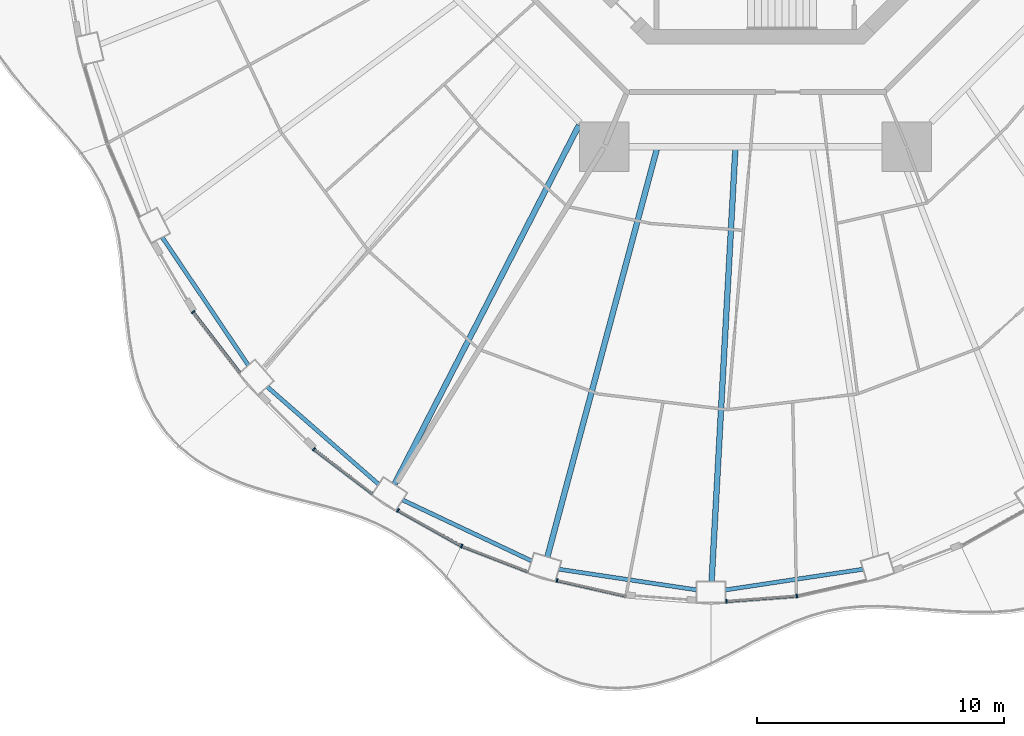
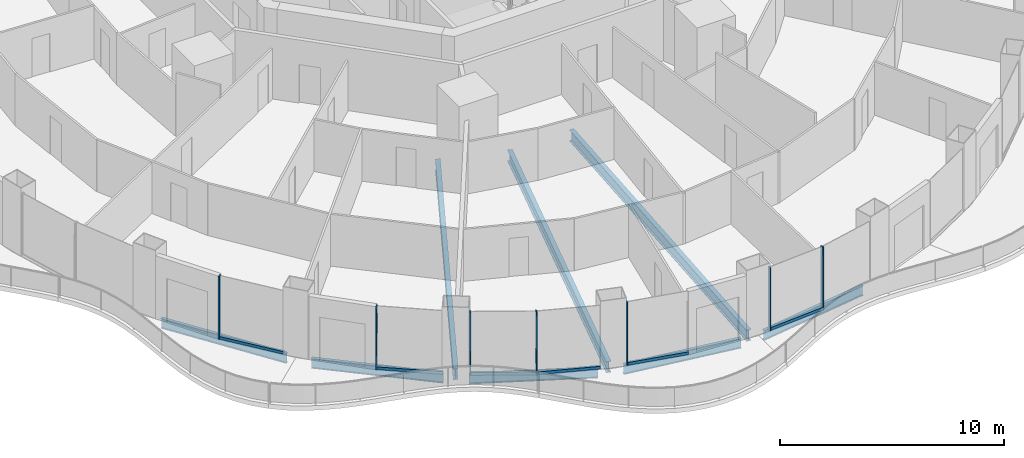
# One storey, part 2 of 20: 13 members, 8 beams, 7 elements without a shape of their own.
"""IFC4 building model written with IfcOpenShell, lengths in metres."""

from ifc_helpers import new_model, si_unit, direction, frame, origin, origin_2d, place, context, subcontext, project, spatial, rectangle, i_section, extrude, material, layer, layer_set, material_profile, profile_set, type_object, element, aggregate, save


model = new_model("IFC4")

# Units and contexts
model_context = context("Model", 3, precision=1e-05, world=origin(), true_north=direction((0.0, 1.0)))
body_context = subcontext(model_context, "Body", "Model", "MODEL_VIEW")
ifc_project = project(units=[si_unit("LENGTHUNIT", "METRE"), si_unit("AREAUNIT", "SQUARE_METRE"), si_unit("VOLUMEUNIT", "CUBIC_METRE"), si_unit("PLANEANGLEUNIT", "RADIAN"), si_unit("MASSUNIT", "GRAM", prefix="KILO")], contexts=[model_context])

# Site, building, storey
site_placement = place(None, origin())
site = spatial("IfcSite", under=ifc_project, at=site_placement, CompositionType="ELEMENT")
building_placement = place(site_placement, origin())
building = spatial("IfcBuilding", under=site, at=building_placement, Name="Nagisa Residences", CompositionType="ELEMENT")
storey_placement = place(building_placement, frame((0.0, 0.0, 141.800048828125)))
storey = spatial("IfcBuildingStorey", under=building, at=storey_placement, Name="L35", CompositionType="ELEMENT", Elevation=141.800048828125)

# Curtain wall, member
ifc_material_1 = material(Name="Concrete-coloured aluminium curtain wall system", Category="concrete")
ifc_layer = layer(ifc_material_1, 0.159912109375)
ifc_layer_set = layer_set([ifc_layer], Name="CW1 CURTAIN WALL")
curtain_wall_type = type_object("IfcCurtainWallType", Name="CW1 CURTAIN WALL", PredefinedType="NOTDEFINED", material=ifc_layer_set)
curtain_wall_1_placement = place(storey_placement, origin())
curtain_wall_1 = element("IfcCurtainWall", 1, at=curtain_wall_1_placement, inside=storey, type_object=curtain_wall_type, Name="cw:CW1:L35:29", PredefinedType="NOTDEFINED")
ifc_material_2 = material(Name="Concrete-coloured aluminium", Category="concrete")
ifc_material_profile_1 = material_profile(ifc_material_2, rectangle(XDim=0.159912109375, YDim=0.06005859375, at=origin_2d()), Name="CW1 MULLION 160x60")
ifc_profile_set_1 = profile_set([ifc_material_profile_1], Name="Concrete-coloured aluminium")
member_type_1 = type_object("IfcMemberType", Name="CW1 MULLION 160x60", PredefinedType="MULLION", material=ifc_profile_set_1)
member_1_placement = place(storey_placement, frame((-22.77001953125, -21.47412109375, 0.0), z_axis=(0.0, 0.0, 1.0), x_axis=(0.792070340816, 0.610429828235, 0.0)))
member_1 = element("IfcMember", 2, at=member_1_placement, type_object=member_type_1, Name="CW1 mullion", PredefinedType="MULLION", context=body_context, shape_type="SweptSolid", body=[
    extrude(rectangle(XDim=0.159912109375, YDim=0.06005859375, at=origin_2d()), origin(), (0.0, 0.0, 1.0), 3.43994140625),
])

curtain_wall_2_placement = place(storey_placement, origin())
curtain_wall_2 = element("IfcCurtainWall", 3, at=curtain_wall_2_placement, inside=storey, type_object=curtain_wall_type, Name="cw:CW1:L35:31", PredefinedType="NOTDEFINED")
member_2_placement = place(storey_placement, frame((-17.881103515625, -27.027587890625, 0.0), z_axis=(0.0, 0.0, 1.0), x_axis=(0.605255421737, 0.79603132756, 0.0)))
member_2 = element("IfcMember", 4, at=member_2_placement, type_object=member_type_1, Name="CW1 mullion", PredefinedType="MULLION", context=body_context, shape_type="SweptSolid", body=[
    extrude(rectangle(XDim=0.159912109375, YDim=0.06005859375, at=origin_2d()), origin(), (0.0, 0.0, 1.0), 3.43994140625),
])

curtain_wall_3_placement = place(storey_placement, origin())
curtain_wall_3 = element("IfcCurtainWall", 5, at=curtain_wall_3_placement, inside=storey, type_object=curtain_wall_type, Name="cw:CW1:L35:32", PredefinedType="NOTDEFINED")
member_3_placement = place(storey_placement, frame((-14.47900390625, -29.505859375, 0.0), z_axis=(0.0, 0.0, 1.0), x_axis=(0.489376918501, 0.872072377523, 0.0)))
member_3 = element("IfcMember", 6, at=member_3_placement, type_object=member_type_1, Name="CW1 mullion", PredefinedType="MULLION", context=body_context, shape_type="SweptSolid", body=[
    extrude(rectangle(XDim=0.159912109375, YDim=0.06005859375, at=origin_2d()), origin(), (0.0, 0.0, 1.0), 3.43994140625),
])

curtain_wall_4_placement = place(storey_placement, origin())
curtain_wall_4 = element("IfcCurtainWall", 7, at=curtain_wall_4_placement, inside=storey, type_object=curtain_wall_type, Name="cw:CW1:L35:33", PredefinedType="NOTDEFINED")
member_4_placement = place(storey_placement, frame((-11.897705078125, -30.950439453125, 0.0), z_axis=(0.0, 0.0, 1.0), x_axis=(0.360327770268, 0.932825759707, 0.0)))
member_4 = element("IfcMember", 8, at=member_4_placement, type_object=member_type_1, Name="CW1 mullion", PredefinedType="MULLION", context=body_context, shape_type="SweptSolid", body=[
    extrude(rectangle(XDim=0.159912109375, YDim=0.06005859375, at=origin_2d()), origin(), (0.0, 0.0, 1.0), 3.43994140625),
])

curtain_wall_5_placement = place(storey_placement, origin())
curtain_wall_5 = element("IfcCurtainWall", 9, at=curtain_wall_5_placement, inside=storey, type_object=curtain_wall_type, Name="cw:CW1:L35:34", PredefinedType="NOTDEFINED")
member_5_placement = place(storey_placement, frame((-8.03564453125, -32.344970703125, 0.0), z_axis=(0.0, 0.0, 1.0), x_axis=(0.2207639201, 0.975327274089, 0.0)))
member_5 = element("IfcMember", 10, at=member_5_placement, type_object=member_type_1, Name="CW1 mullion", PredefinedType="MULLION", context=body_context, shape_type="SweptSolid", body=[
    extrude(rectangle(XDim=0.159912109375, YDim=0.06005859375, at=origin_2d()), origin(), (0.0, 0.0, 1.0), 3.43994140625),
])

curtain_wall_6_placement = place(storey_placement, origin())
curtain_wall_6 = element("IfcCurtainWall", 11, at=curtain_wall_6_placement, inside=storey, type_object=curtain_wall_type, Name="cw:CW1:L35:36", PredefinedType="NOTDEFINED")
member_6_placement = place(storey_placement, frame((-1.177734375, -33.18603515625, 0.0), z_axis=(0.0, 0.0, 1.0), x_axis=(-0.074377355493, 0.997230168512, 0.0)))
member_6 = element("IfcMember", 12, at=member_6_placement, type_object=member_type_1, Name="CW1 mullion", PredefinedType="MULLION", context=body_context, shape_type="SweptSolid", body=[
    extrude(rectangle(XDim=0.159912109375, YDim=0.06005859375, at=origin_2d()), origin(), (0.0, 0.0, 1.0), 3.43994140625),
])

curtain_wall_7_placement = place(storey_placement, origin())
curtain_wall_7 = element("IfcCurtainWall", 13, at=curtain_wall_7_placement, inside=storey, type_object=curtain_wall_type, Name="cw:CW1:L35:37", PredefinedType="NOTDEFINED")
member_7_placement = place(storey_placement, frame((1.675048828125, -32.9697265625, 0.0), z_axis=(0.0, 0.0, 1.0), x_axis=(-0.2207639201, 0.975327274089, 0.0)))
member_7 = element("IfcMember", 14, at=member_7_placement, type_object=member_type_1, Name="CW1 mullion", PredefinedType="MULLION", context=body_context, shape_type="SweptSolid", body=[
    extrude(rectangle(XDim=0.159912109375, YDim=0.06005859375, at=origin_2d()), origin(), (0.0, 0.0, 1.0), 3.43994140625),
])
aggregate(curtain_wall_7, [member_7])

# Member
ifc_material_3 = material(Name="Concrete-coloured aluminium", Category="concrete")
ifc_material_profile_2 = material_profile(ifc_material_3, rectangle(XDim=0.1201171875, YDim=0.14990234375, at=origin_2d()), Name="CW1 TRANSOM 120x150")
ifc_profile_set_2 = profile_set([ifc_material_profile_2], Name="Concrete-coloured aluminium")
member_type_2 = type_object("IfcMemberType", Name="CW1 TRANSOM 120x150", PredefinedType="USERDEFINED", material=ifc_profile_set_2)
member_8_placement = place(storey_placement, frame((-22.788330078125, -21.450439453125, 0.074951171875), z_axis=(0.610429847179, -0.792070326217, 0.0), x_axis=(0.792070326217, 0.610429847179, 0.0)))
member_8 = element("IfcMember", 15, at=member_8_placement, type_object=member_type_2, Name="CW1 transom", ObjectType="TRANSOM", PredefinedType="USERDEFINED", context=body_context, shape_type="SweptSolid", body=[
    extrude(rectangle(XDim=0.1201171875, YDim=0.14990234375, at=origin_2d()), origin(), (0.0, 0.0, 1.0), 3.149169921875),
])

aggregate(curtain_wall_1, [member_1, member_8])

member_9_placement = place(storey_placement, frame((-17.905029296875, -27.00927734375, 0.074951171875), z_axis=(0.796022231079, -0.605267385233, 0.0), x_axis=(0.605267385233, 0.796022231079, 0.0)))
member_9 = element("IfcMember", 16, at=member_9_placement, type_object=member_type_2, Name="CW1 transom", ObjectType="TRANSOM", PredefinedType="USERDEFINED", context=body_context, shape_type="SweptSolid", body=[
    extrude(rectangle(XDim=0.1201171875, YDim=0.14990234375, at=origin_2d()), origin(), (0.0, 0.0, 1.0), 3.025634765625),
])

aggregate(curtain_wall_2, [member_2, member_9])

member_10_placement = place(storey_placement, frame((-14.505126953125, -29.4912109375, 0.074951171875), z_axis=(0.87206688547, -0.489386705241, 0.0), x_axis=(0.489386705241, 0.87206688547, 0.0)))
member_10 = element("IfcMember", 17, at=member_10_placement, type_object=member_type_2, Name="CW1 transom", ObjectType="TRANSOM", PredefinedType="USERDEFINED", context=body_context, shape_type="SweptSolid", body=[
    extrude(rectangle(XDim=0.1201171875, YDim=0.14990234375, at=origin_2d()), origin(), (0.0, 0.0, 1.0), 2.9697265625),
])

aggregate(curtain_wall_3, [member_3, member_10])

member_11_placement = place(storey_placement, frame((-11.92578125, -30.939697265625, 0.074951171875), z_axis=(0.932845344347, -0.360277064952, 0.0), x_axis=(0.360277064952, 0.932845344347, 0.0)))
member_11 = element("IfcMember", 18, at=member_11_placement, type_object=member_type_2, Name="CW1 transom", ObjectType="TRANSOM", PredefinedType="USERDEFINED", context=body_context, shape_type="SweptSolid", body=[
    extrude(rectangle(XDim=0.1201171875, YDim=0.14990234375, at=origin_2d()), origin(), (0.0, 0.0, 1.0), 2.92333984375),
])

aggregate(curtain_wall_4, [member_4, member_11])

member_12_placement = place(storey_placement, frame((-8.06494140625, -32.338134765625, 0.074951171875), z_axis=(0.975320849653, -0.220792301117, 0.0), x_axis=(0.220792301117, 0.975320849653, 0.0)))
member_12 = element("IfcMember", 19, at=member_12_placement, type_object=member_type_2, Name="CW1 transom", ObjectType="TRANSOM", PredefinedType="USERDEFINED", context=body_context, shape_type="SweptSolid", body=[
    extrude(rectangle(XDim=0.1201171875, YDim=0.14990234375, at=origin_2d()), origin(), (0.0, 0.0, 1.0), 2.890380859375),
])

aggregate(curtain_wall_5, [member_5, member_12])

member_13_placement = place(storey_placement, frame((-1.20751953125, -33.188232421875, 0.074951171875), z_axis=(0.997231697044, 0.074356858535, 0.0), x_axis=(-0.074356858535, 0.997231697044, 0.0)))
member_13 = element("IfcMember", 20, at=member_13_placement, type_object=member_type_2, Name="CW1 transom", ObjectType="TRANSOM", PredefinedType="USERDEFINED", context=body_context, shape_type="SweptSolid", body=[
    extrude(rectangle(XDim=0.1201171875, YDim=0.14990234375, at=origin_2d()), origin(), (0.0, 0.0, 1.0), 2.873046875),
])

aggregate(curtain_wall_6, [member_6, member_13])

# Beams
ifc_material_4 = material(Name="Steel ASTM A572 Gr 50", Category="steel")
ifc_material_profile_3 = material_profile(ifc_material_4, i_section(OverallWidth=0.166015625, OverallDepth=0.534912109375, WebThickness=0.01025390625, FlangeThickness=0.0166015625, at=origin_2d()), Name="W530x85")
ifc_profile_set_3 = profile_set([ifc_material_profile_3], Name="Steel ASTM A572 Gr 50")
beam_type_1 = type_object("IfcBeamType", Name="Perimeter ring beam W530x85", PredefinedType="BEAM", material=ifc_profile_set_3)
beam_1_placement = place(storey_placement, frame((-24.020751953125, -18.4501953125, -0.527587890625), z_axis=(0.558187951157, -0.82971453596, 0.0), x_axis=(0.82971453596, 0.558187951157, 0.0)))
element("IfcBeam", 21, at=beam_1_placement, inside=storey, type_object=beam_type_1, Name="beam:L35:pb15", PredefinedType="BEAM", context=body_context, shape_type="SweptSolid", body=[
    extrude(i_section(OverallWidth=0.166015625, OverallDepth=0.534912109375, WebThickness=0.01025390625, FlangeThickness=0.0166015625, at=origin_2d()), origin(), (0.0, 0.0, 1.0), 6.24267578125),
])
beam_2_placement = place(storey_placement, frame((-19.769287109375, -24.500732421875, -0.527587890625), z_axis=(0.75252371036, -0.658565156493, 0.0), x_axis=(0.658565156493, 0.75252371036, 0.0)))
element("IfcBeam", 22, at=beam_2_placement, inside=storey, type_object=beam_type_1, Name="beam:L35:pb16", PredefinedType="BEAM", context=body_context, shape_type="SweptSolid", body=[
    extrude(i_section(OverallWidth=0.166015625, OverallDepth=0.534912109375, WebThickness=0.01025390625, FlangeThickness=0.0166015625, at=origin_2d()), origin(), (0.0, 0.0, 1.0), 5.994384765625),
])
beam_3_placement = place(storey_placement, frame((-14.287841796875, -29.084716796875, -0.527587890625), z_axis=(0.904186034847, -0.427138870143, 0.0), x_axis=(0.427138870143, 0.904186034847, 0.0)))
element("IfcBeam", 23, at=beam_3_placement, inside=storey, type_object=beam_type_1, Name="beam:L35:pb17", PredefinedType="BEAM", context=body_context, shape_type="SweptSolid", body=[
    extrude(i_section(OverallWidth=0.166015625, OverallDepth=0.534912109375, WebThickness=0.01025390625, FlangeThickness=0.0166015625, at=origin_2d()), origin(), (0.0, 0.0, 1.0), 5.772216796875),
])
for number, where, z_axis, x_axis, name in (
    (24, (-7.958251953125, -31.887939453125, -0.527587890625), (0.9889122118, -0.148501304214, 0.0), (0.148501304214, 0.9889122118, 0.0), "beam:L35:pb18"),
    (25, (-1.2197265625, -32.7255859375, -0.527587890625), (0.9889122118, 0.148501304214, 0.0), (-0.148501304214, 0.9889122118, 0.0), "beam:L35:pb19"),
):
    element("IfcBeam", number, at=place(storey_placement, frame(where, z_axis=z_axis, x_axis=x_axis)), inside=storey, type_object=beam_type_1, Name=name, PredefinedType="BEAM", context=body_context, shape_type="SweptSolid", body=[
        extrude(i_section(OverallWidth=0.166015625, OverallDepth=0.534912109375, WebThickness=0.01025390625, FlangeThickness=0.0166015625, at=origin_2d()), origin(), (0.0, 0.0, 1.0), 5.640625),
    ])
ifc_material_5 = material(Name="Steel ASTM A572 Gr 50", Category="steel")
ifc_material_profile_4 = material_profile(ifc_material_5, i_section(OverallWidth=0.22900390625, OverallDepth=0.612060546875, WebThickness=0.011962890625, FlangeThickness=0.01953125, at=origin_2d()), Name="W610x125")
ifc_profile_set_4 = profile_set([ifc_material_profile_4], Name="Steel ASTM A572 Gr 50")
beam_type_2 = type_object("IfcBeamType", Name="Radial beam W610x125", PredefinedType="BEAM", material=ifc_profile_set_4)
beam_4_placement = place(storey_placement, frame((-14.619873046875, -28.449462890625, -0.566162109375), z_axis=(0.457072968779, 0.889429199662, 0.0), x_axis=(-0.889429199662, 0.457072968779, 0.0)))
element("IfcBeam", 26, at=beam_4_placement, inside=storey, type_object=beam_type_2, Name="beam:L35:rb17", PredefinedType="BEAM", context=body_context, shape_type="SweptSolid", body=[
    extrude(i_section(OverallWidth=0.22900390625, OverallDepth=0.612060546875, WebThickness=0.011962890625, FlangeThickness=0.01953125, at=origin_2d()), origin(), (0.0, 0.0, 1.0), 16.347412109375),
])
beam_5_placement = place(storey_placement, frame((-8.4267578125, -31.38525390625, -0.566162109375), z_axis=(0.25930906211, 0.965794393392, 0.0), x_axis=(-0.965794393392, 0.25930906211, 0.0)))
element("IfcBeam", 27, at=beam_5_placement, inside=storey, type_object=beam_type_2, Name="beam:L35:rb18", PredefinedType="BEAM", context=body_context, shape_type="SweptSolid", body=[
    extrude(i_section(OverallWidth=0.22900390625, OverallDepth=0.612060546875, WebThickness=0.011962890625, FlangeThickness=0.01953125, at=origin_2d()), origin(), (0.0, 0.0, 1.0), 17.079833984375),
])
beam_6_placement = place(storey_placement, frame((-1.7763671875, -32.382568359375, -0.566162109375), z_axis=(0.054779249477, 0.998498489647, 0.0), x_axis=(-0.998498489647, 0.054779249477, 0.0)))
element("IfcBeam", 28, at=beam_6_placement, inside=storey, type_object=beam_type_2, Name="beam:L35:rb19", PredefinedType="BEAM", context=body_context, shape_type="SweptSolid", body=[
    extrude(i_section(OverallWidth=0.22900390625, OverallDepth=0.612060546875, WebThickness=0.011962890625, FlangeThickness=0.01953125, at=origin_2d()), origin(), (0.0, 0.0, 1.0), 17.519775390625),
])

save(model, "model.ifc")
